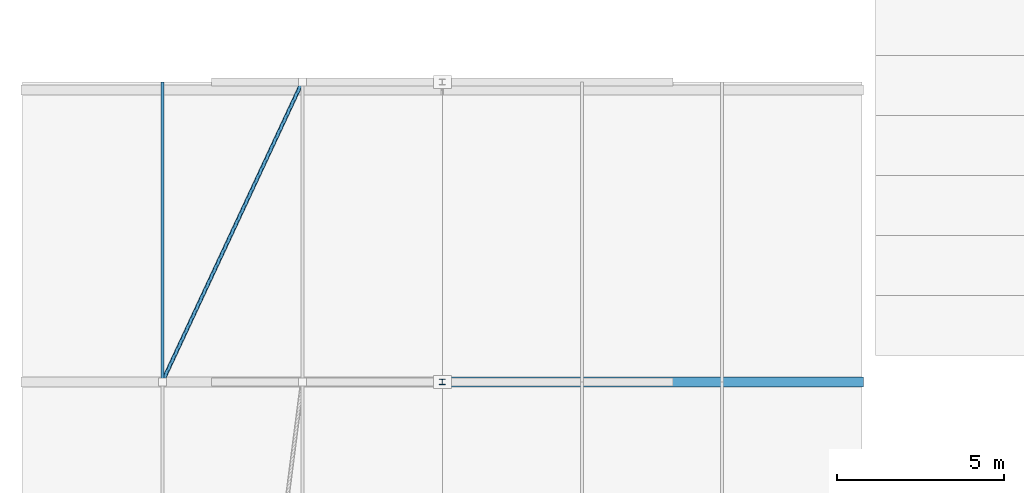
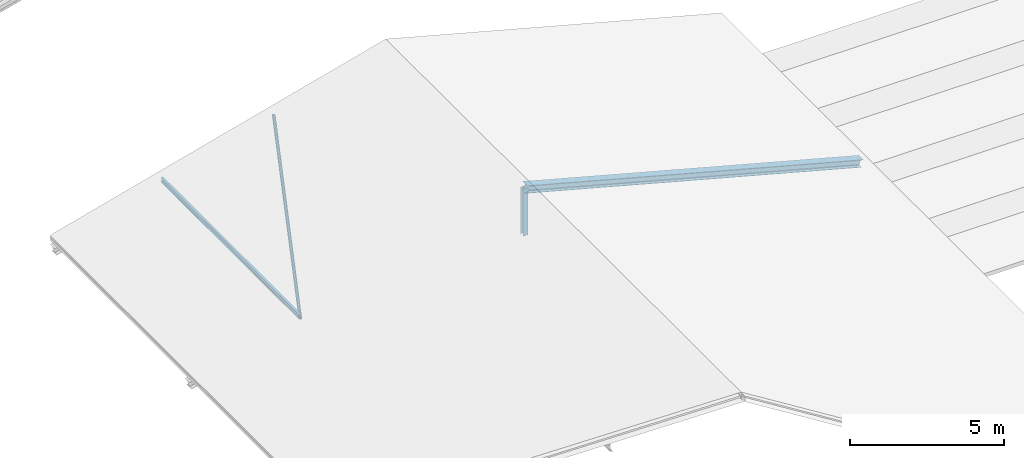
# One storey, part 4 of 31: 4 members.
"""IFC4 building model written with IfcOpenShell, lengths in metres."""

from ifc_helpers import new_model, si_unit, direction, frame, origin, origin_2d, place, context, subcontext, project, spatial, hollow_circle, i_section, extrude, material, material_profile, profile_set, type_object, element, save


model = new_model("IFC4")

# Units and contexts
model_context = context("Model", 3, precision=1e-05, world=origin(), true_north=direction((0.0, 1.0)))
body_context = subcontext(model_context, "Body", "Model", "MODEL_VIEW")
ifc_project = project(units=[si_unit("LENGTHUNIT", "METRE"), si_unit("AREAUNIT", "SQUARE_METRE"), si_unit("VOLUMEUNIT", "CUBIC_METRE"), si_unit("PLANEANGLEUNIT", "RADIAN"), si_unit("MASSUNIT", "GRAM", prefix="KILO")], contexts=[model_context])

# Site, building, storey
site_placement = place(None, origin())
site = spatial("IfcSite", under=ifc_project, at=site_placement, CompositionType="ELEMENT")
building_placement = place(site_placement, origin())
building = spatial("IfcBuilding", under=site, at=building_placement, Name="Clarverna Civic Hall", CompositionType="ELEMENT")
storey_placement = place(building_placement, frame((0.0, 0.0, 31.199951171875)))
storey = spatial("IfcBuildingStorey", under=building, at=storey_placement, Name="RF", CompositionType="ELEMENT", Elevation=31.199951171875)

# Members
ifc_material = material(Name="Steel S355", Category="steel")
ifc_material_profile_1 = material_profile(ifc_material, hollow_circle(Radius=0.05712890625, WallThickness=0.00634765625, at=origin_2d()), Name="CHS 114.3x6.3")
ifc_profile_set_1 = profile_set([ifc_material_profile_1], Name="Steel S355")
member_type_1 = type_object("IfcMemberType", Name="BRR-2", PredefinedType="BRACE", material=ifc_profile_set_1)
member_1_placement = place(storey_placement, frame((4.199951171875, 46.39990234375, -13.564453125), z_axis=(0.420193149995, 0.900424360949, 0.112577470693), x_axis=(-0.906185023996, 0.422881428163, 0.0)))
element("IfcMember", 1, at=member_1_placement, inside=storey, type_object=member_type_1, Name="BRR-2-004", PredefinedType="BRACE", context=body_context, shape_type="SweptSolid", body=[
    extrude(hollow_circle(Radius=0.05712890625, WallThickness=0.00634765625, at=origin_2d()), origin(), (0.0, 0.0, 1.0), 9.995361328125),
])
ifc_material_profile_2 = material_profile(ifc_material, i_section(OverallWidth=0.179931640625, OverallDepth=0.1708984375, WebThickness=0.006103515625, FlangeThickness=0.009521484375, FilletRadius=0.014892578125, at=origin_2d()), Name="HEA 180")
ifc_profile_set_2 = profile_set([ifc_material_profile_2], Name="Steel S355")
member_type_2 = type_object("IfcMemberType", Name="CH-04", PredefinedType="CHORD", material=ifc_profile_set_2)
member_2_placement = place(storey_placement, frame((12.60009765625, 46.39990234375, -13.170654296875), z_axis=(0.0, 0.0, 1.0), x_axis=(1.0, 0.0, 0.0)))
element("IfcMember", 2, at=member_2_placement, inside=storey, type_object=member_type_2, Name="CH-04-102", PredefinedType="CHORD", context=body_context, shape_type="SweptSolid", body=[
    extrude(i_section(OverallWidth=0.179931640625, OverallDepth=0.1708984375, WebThickness=0.006103515625, FlangeThickness=0.009521484375, FilletRadius=0.014892578125, at=origin_2d()), origin(), (0.0, 0.0, 1.0), 1.85693359375),
])
ifc_material_profile_3 = material_profile(ifc_material, i_section(OverallWidth=0.091064453125, OverallDepth=0.179931640625, WebThickness=0.00537109375, FlangeThickness=0.008056640625, FilletRadius=0.009033203125, at=origin_2d()), Name="IPE 180")
ifc_profile_set_3 = profile_set([ifc_material_profile_3], Name="Steel S355")
member_type_3 = type_object("IfcMemberType", Name="PU-RF2", PredefinedType="PURLIN", material=ifc_profile_set_3)
member_3_placement = place(storey_placement, frame((4.199951171875, 46.39990234375, -13.504638671875), z_axis=(0.0, 1.0, 0.0), x_axis=(-1.0, 0.0, 0.0)))
element("IfcMember", 3, at=member_3_placement, inside=storey, type_object=member_type_3, Name="PU-RF2-004", PredefinedType="PURLIN", context=body_context, shape_type="SweptSolid", body=[
    extrude(i_section(OverallWidth=0.091064453125, OverallDepth=0.179931640625, WebThickness=0.00537109375, FlangeThickness=0.008056640625, FilletRadius=0.009033203125, at=origin_2d()), origin(), (0.0, 0.0, 1.0), 9.0),
])
ifc_material_profile_4 = material_profile(ifc_material, i_section(OverallWidth=0.300048828125, OverallDepth=0.2900390625, WebThickness=0.008544921875, FlangeThickness=0.013916015625, FilletRadius=0.027099609375, at=origin_2d()), Name="HEA 300")
ifc_profile_set_4 = profile_set([ifc_material_profile_4], Name="Steel S355")
member_type_4 = type_object("IfcMemberType", Name="RF-03", PredefinedType="RAFTER", material=ifc_profile_set_4)
member_4_placement = place(storey_placement, frame((25.199951171875, 46.39990234375, -14.68994140625), z_axis=(-0.965923907255, 0.0, 0.25882620693), x_axis=(0.0, -1.0, 0.0)))
element("IfcMember", 4, at=member_4_placement, inside=storey, type_object=member_type_4, Name="RF-03-008", PredefinedType="RAFTER", context=body_context, shape_type="SweptSolid", body=[
    extrude(i_section(OverallWidth=0.300048828125, OverallDepth=0.2900390625, WebThickness=0.008544921875, FlangeThickness=0.013916015625, FilletRadius=0.027099609375, at=origin_2d()), origin(), (0.0, 0.0, 1.0), 13.04443359375),
])

save(model, "model.ifc")
